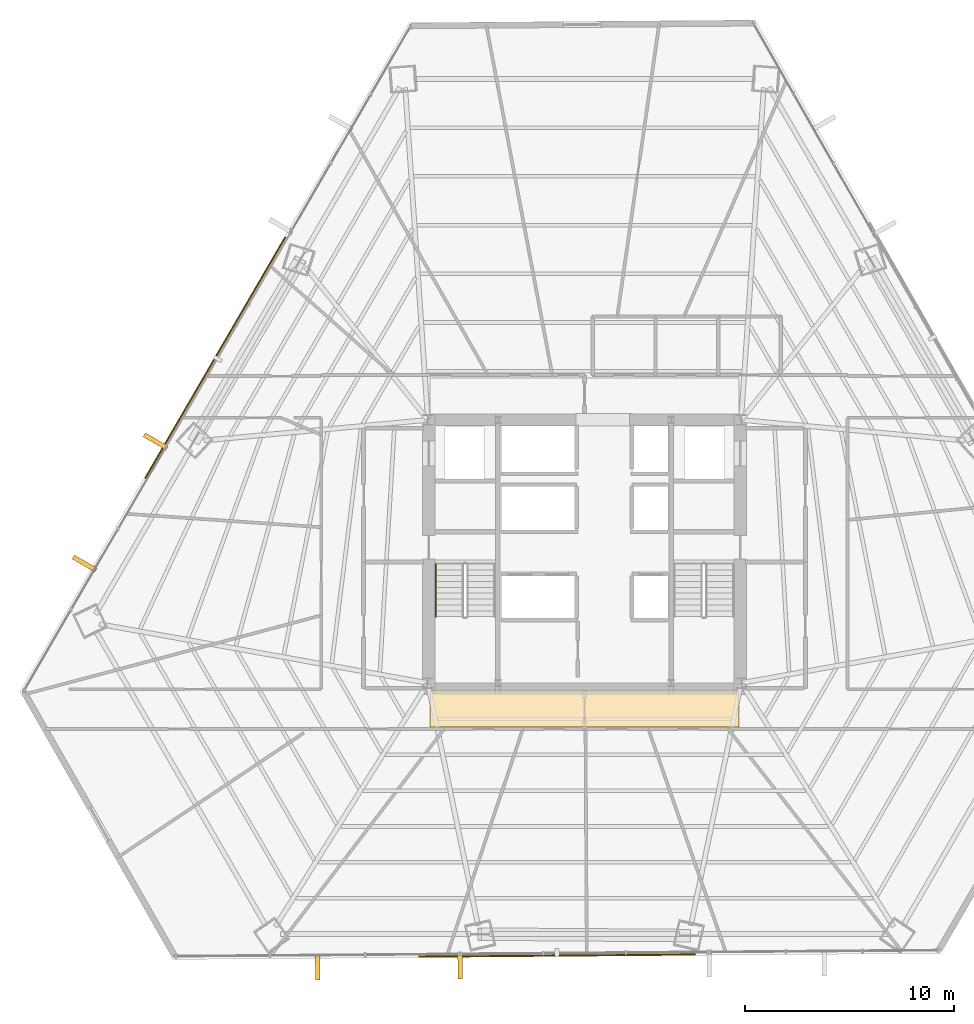
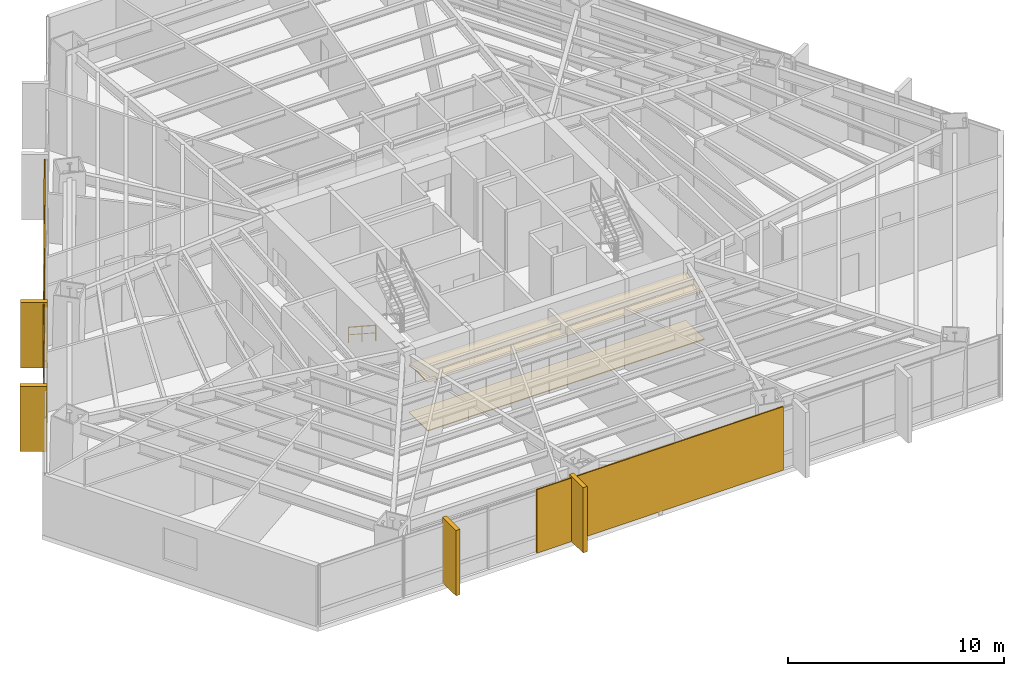
# One storey, part 33 of 35: 6 coverings, 2 shading devices, 1 railing.
"""IFC4 building model written with IfcOpenShell, lengths in metres."""

from ifc_helpers import new_model, si_unit, direction, frame, origin, origin_2d, place, context, subcontext, project, spatial, polyline, rectangle, outline, extrude, source, transform, mapped, material, layer, layer_set, type_object, type_shapes, element, save


model = new_model("IFC4")

# Units and contexts
model_context = context("Model", 3, precision=1e-05, world=origin(), true_north=direction((0.0, 1.0)))
body_context = subcontext(model_context, "Body", "Model", "MODEL_VIEW")
ifc_project = project(units=[si_unit("LENGTHUNIT", "METRE"), si_unit("AREAUNIT", "SQUARE_METRE"), si_unit("VOLUMEUNIT", "CUBIC_METRE"), si_unit("PLANEANGLEUNIT", "RADIAN"), si_unit("MASSUNIT", "GRAM", prefix="KILO")], contexts=[model_context])

# Site, building, storey
site_placement = place(None, origin())
site = spatial("IfcSite", under=ifc_project, at=site_placement, CompositionType="ELEMENT")
building_placement = place(site_placement, origin())
building = spatial("IfcBuilding", under=site, at=building_placement, Name="Caelisora Broadcast Tower", CompositionType="ELEMENT")
storey_placement = place(building_placement, frame((0.0, 0.0, 53.14990234375)))
storey = spatial("IfcBuildingStorey", under=building, at=storey_placement, Name="L13", CompositionType="ELEMENT", Elevation=53.14990234375)

# Coverings
ifc_material_1 = material(Name="Perforated Mineral-Fibre Acoustic Ceiling Tile", Category="gypsum")
ifc_layer_1 = layer(ifc_material_1, 0.034912109375, Name="Perforated Mineral-Fibre Acoustic Ceiling Tile")
ifc_layer_set_1 = layer_set([ifc_layer_1], Name="Perforated Mineral-Fibre Acoustic Ceiling Tile")
covering_type_1 = type_object("IfcCoveringType", Name="CE-1", PredefinedType="CEILING", material=ifc_layer_set_1)
covering_1_placement = place(storey_placement, frame((0.0, 0.0, 2.75)))
element("IfcCovering", 1, at=covering_1_placement, inside=storey, type_object=covering_type_1, Name="L13 acoustic corridor ceiling CE-1 (S)", PredefinedType="CEILING", context=body_context, shape_type="SweptSolid", body=[
    extrude(outline(polyline([(30.60009765625, 15.300048828125), (45.39990234375, 15.300048828125), (45.39990234375, 17.050048828125), (30.60009765625, 17.050048828125), (30.60009765625, 15.300048828125)])), origin(), (0.0, 0.0, 1.0), 0.03515625),
])
ifc_material_2 = material(Name="Anti-Static Broadcast Raised Access Floor Panel", Category="steel")
ifc_layer_2 = layer(ifc_material_2, 0.044921875, Name="Anti-Static Broadcast Raised Access Floor Panel")
ifc_layer_set_2 = layer_set([ifc_layer_2], Name="Anti-Static Broadcast Raised Access Floor Panel")
covering_type_2 = type_object("IfcCoveringType", Name="FL-1", PredefinedType="FLOORING", material=ifc_layer_set_2)
covering_2_placement = place(storey_placement, origin())
element("IfcCovering", 2, at=covering_2_placement, inside=storey, type_object=covering_type_2, Name="L13 broadcast raised access floor FL-1 (S)", PredefinedType="FLOORING", context=body_context, shape_type="SweptSolid", body=[
    extrude(outline(polyline([(30.60009765625, 15.300048828125), (45.39990234375, 15.300048828125), (45.39990234375, 17.050048828125), (30.60009765625, 17.050048828125), (30.60009765625, 15.300048828125)])), origin(), (0.0, 0.0, 1.0), 0.045166015625),
])

# Railing
ifc_material_3 = material(Name="Stainless Steel Grade 316 Tubular Handrail", Category="steel")
ifc_layer_3 = layer(ifc_material_3, 0.048095703125, Name="Stainless Steel Grade 316 Tubular Handrail")
ifc_layer_set_3 = layer_set([ifc_layer_3], Name="Stainless Steel Grade 316 Tubular Handrail")
railing_type = type_object("IfcRailingType", Name="HR-1", PredefinedType="HANDRAIL", material=ifc_layer_set_3)
railing_placement = place(storey_placement, frame((30.8701171875, 23.10009765625, 0.1826171875)))
element("IfcRailing", 3, at=railing_placement, inside=storey, type_object=railing_type, Name="L13 ST-1 stair handrail 1", PredefinedType="HANDRAIL", context=body_context, shape_type="SweptSolid", body=[
    extrude(rectangle(XDim=0.048095703125, YDim=0.048095703125, at=origin_2d()), frame((0.0, 0.0, 0.8759765625), z_axis=(0.0, -0.837749427056, 0.546054848405), x_axis=(1.0, 0.0, 0.0)), (0.0, 0.0, 1.0), 3.008056640625),
    extrude(rectangle(XDim=0.03125, YDim=0.03125, at=origin_2d()), frame((0.0, 0.0, 0.449951171875), z_axis=(0.0, -0.837749427056, 0.546054848405), x_axis=(1.0, 0.0, 0.0)), (0.0, 0.0, 1.0), 3.008056640625),
    extrude(rectangle(XDim=0.0419921875, YDim=0.0419921875, at=origin_2d()), origin(), (0.0, 0.0, 1.0), 0.851806640625),
    extrude(rectangle(XDim=0.0419921875, YDim=0.0419921875, at=origin_2d()), frame((0.0, -1.260009765625, 0.8212890625)), (0.0, 0.0, 1.0), 0.851806640625),
    extrude(rectangle(XDim=0.0419921875, YDim=0.0419921875, at=origin_2d()), frame((0.0, -2.52001953125, 1.642578125)), (0.0, 0.0, 1.0), 0.851806640625),
])

# Coverings
ifc_material_4 = material(Name="Kiln-Fired Terracotta Spandrel Rainscreen Cladding", Category="ceramic")
ifc_layer_4 = layer(ifc_material_4, 0.044921875, Name="Kiln-Fired Terracotta Spandrel Rainscreen Cladding")
ifc_layer_set_4 = layer_set([ifc_layer_4], Name="Kiln-Fired Terracotta Spandrel Rainscreen Cladding")
covering_type_3 = type_object("IfcCoveringType", Name="CL-1", PredefinedType="CLADDING", material=ifc_layer_set_4)
shared_shape_1 = source(origin(), body_context, "Body", "SweptSolid", [
    extrude(rectangle(XDim=0.219970703125, YDim=1.25, at=origin_2d()), origin(), (0.0, 0.0, 1.0), 3.68994140625),
])
type_shapes(covering_type_3, [shared_shape_1])
for number, where, z_axis, x_axis, name in (
    (4, (32.044189453125, 3.85986328125, -0.019775390625), (0.0, 0.0, 1.0), (-0.999969157645, -0.007853900889, 0.0), "L13 vertical solar fin cladding #2-3"),
    (5, (25.21875, 3.805908203125, -0.019775390625), (0.0, 0.0, 1.0), (-0.999969157645, -0.007853900889, 0.0), "L13 vertical solar fin cladding #2-4"),
    (6, (14.061279296875, 23.12451171875, -0.019775390625), (0.0, 0.0, 1.0), (0.50286909456, 0.864362582332, 0.0), "L13 vertical solar fin cladding #3-1"),
    (7, (17.463623046875, 28.972412109375, -0.019775390625), (0.0, 0.0, 1.0), (0.50286909456, 0.864362582332, 0.0), "L13 vertical solar fin cladding #3-2"),
):
    element("IfcCovering", number, at=place(storey_placement, frame(where, z_axis=z_axis, x_axis=x_axis)), inside=storey, type_object=covering_type_3, Name=name, PredefinedType="CLADDING", context=body_context, shape_type="MappedRepresentation", body=[
        mapped(shared_shape_1, transform((0.0, 0.0, 0.0), scale=1.0)),
    ])

# Shading devices
ifc_material_5 = material(Name="Perforated Glazed Terracotta Baguette Solar Screen", Category="ceramic")
ifc_layer_5 = layer(ifc_material_5, 0.06494140625, Name="Perforated Glazed Terracotta Baguette Solar Screen")
ifc_layer_set_5 = layer_set([ifc_layer_5], Name="Perforated Glazed Terracotta Baguette Solar Screen")
shading_device_type = type_object("IfcShadingDeviceType", Name="SS-1", PredefinedType="USERDEFINED", material=ifc_layer_set_5)
shared_shape_2 = source(origin(), body_context, "Body", "SweptSolid", [
    extrude(rectangle(XDim=13.3369140625, YDim=0.06494140625, at=origin_2d()), origin(), (0.0, 0.0, 1.0), 3.590087890625),
])
shading_device_1_placement = place(storey_placement, frame((20.320068359375, 32.9873046875, 0.0), z_axis=(0.0, 0.0, 1.0), x_axis=(-0.50286909456, -0.864362582332, 0.0)))
element("IfcShadingDevice", 8, at=shading_device_1_placement, inside=storey, type_object=shading_device_type, Name="L13 perforated terracotta solar screen #1", ObjectType="SOLAR SCREEN", PredefinedType="USERDEFINED", context=body_context, shape_type="MappedRepresentation", body=[
    mapped(shared_shape_2, transform((0.0, 0.0, 0.0), scale=1.0)),
])
shared_shape_3 = source(origin(), body_context, "Body", "SweptSolid", [
    extrude(rectangle(XDim=13.23291015625, YDim=0.06494140625, at=origin_2d()), origin(), (0.0, 0.0, 1.0), 3.590087890625),
])
type_shapes(shading_device_type, [shared_shape_2, shared_shape_3])
shading_device_2_placement = place(storey_placement, frame((36.68017578125, 4.346435546875, 0.0), z_axis=(0.0, 0.0, 1.0), x_axis=(0.999969157645, 0.007853900889, 0.0)))
element("IfcShadingDevice", 9, at=shading_device_2_placement, inside=storey, type_object=shading_device_type, Name="L13 perforated terracotta solar screen #2", ObjectType="SOLAR SCREEN", PredefinedType="USERDEFINED", context=body_context, shape_type="MappedRepresentation", body=[
    mapped(shared_shape_3, transform((0.0, 0.0, 0.0), scale=1.0)),
])

save(model, "model.ifc")
